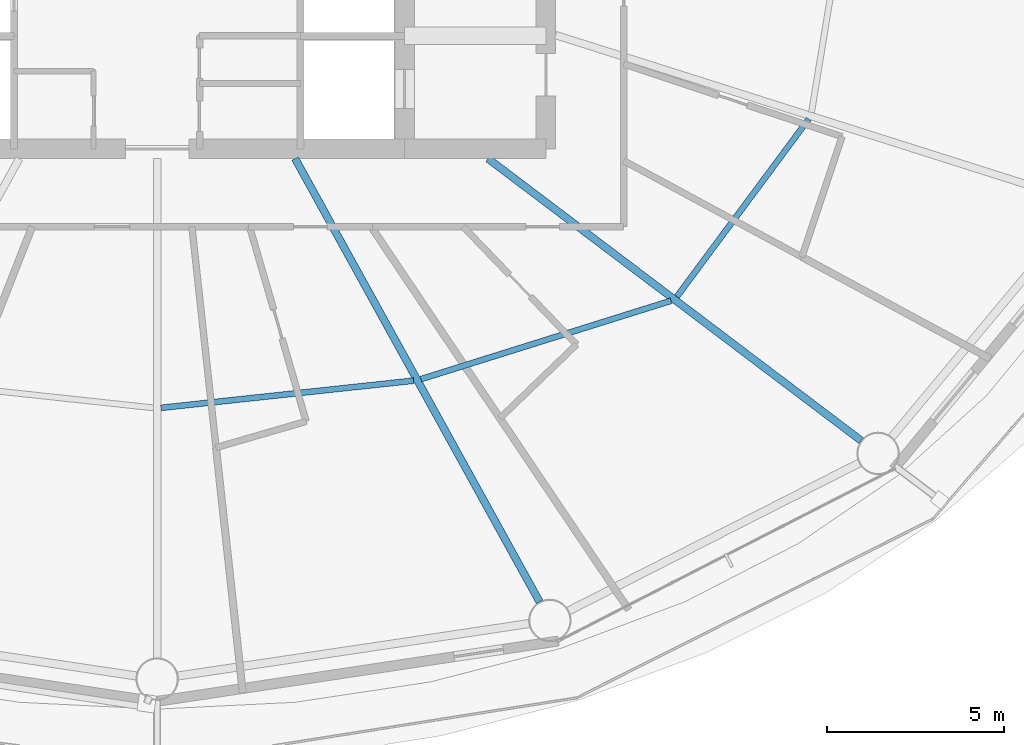
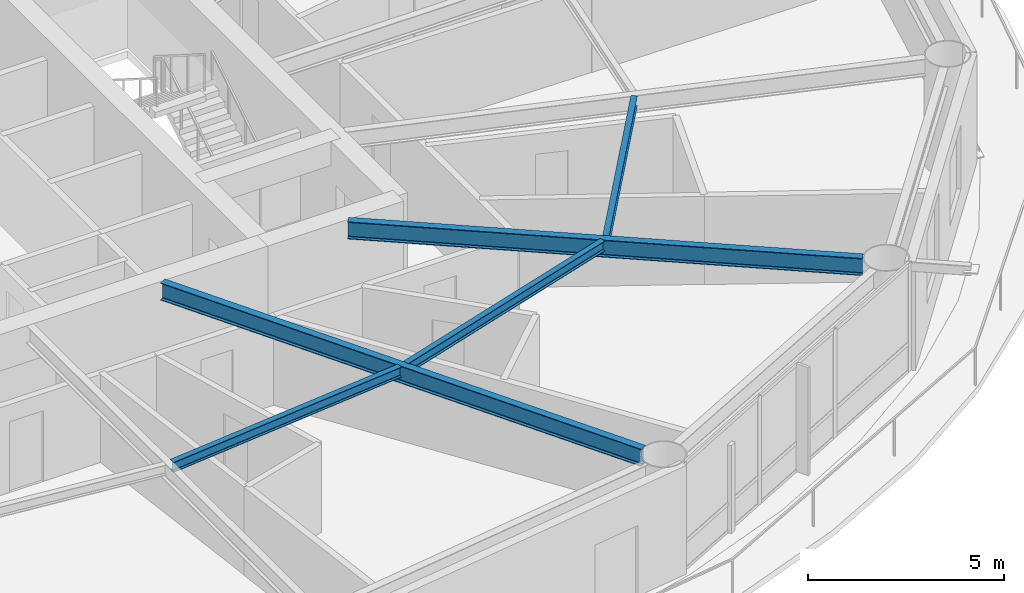
# One storey, part 5 of 24: 5 beams.
"""IFC4 building model written with IfcOpenShell, lengths in metres."""

from ifc_helpers import new_model, si_unit, direction, frame, origin, origin_2d, place, context, subcontext, project, spatial, i_section, extrude, material, material_profile, profile_set, type_object, element, save


model = new_model("IFC4")

# Units and contexts
model_context = context("Model", 3, precision=1e-05, world=origin(), true_north=direction((0.0, 1.0)))
body_context = subcontext(model_context, "Body", "Model", "MODEL_VIEW")
ifc_project = project(units=[si_unit("LENGTHUNIT", "METRE"), si_unit("AREAUNIT", "SQUARE_METRE"), si_unit("VOLUMEUNIT", "CUBIC_METRE"), si_unit("PLANEANGLEUNIT", "RADIAN"), si_unit("MASSUNIT", "GRAM", prefix="KILO")], contexts=[model_context])

# Site, building, storey
site_placement = place(None, origin())
site = spatial("IfcSite", under=ifc_project, at=site_placement, CompositionType="ELEMENT")
building_placement = place(site_placement, origin())
building = spatial("IfcBuilding", under=site, at=building_placement, Name="Sarneth Arch Tower", CompositionType="ELEMENT")
storey_placement = place(building_placement, frame((0.0, 0.0, 105.60009765625)))
storey = spatial("IfcBuildingStorey", under=building, at=storey_placement, Name="L26", CompositionType="ELEMENT", Elevation=105.60009765625)

# Beams
ifc_material_1 = material(Name="Steel S355", Category="steel")
ifc_material_profile_1 = material_profile(ifc_material_1, i_section(OverallWidth=0.1669921875, OverallDepth=0.31689453125, WebThickness=0.007568359375, FlangeThickness=0.01318359375, FilletRadius=0.012939453125, at=origin_2d()), Name="W310x52")
ifc_profile_set_1 = profile_set([ifc_material_profile_1], Name="Steel S355")
beam_type_1 = type_object("IfcBeamType", Name="BM-JOIST-310B", PredefinedType="JOIST", material=ifc_profile_set_1)
beam_1_placement = place(storey_placement, frame((48.10498046875, 27.873779296875, 3.221435546875), z_axis=(0.994257420028, 0.107014871487, 0.0), x_axis=(-0.107014871487, 0.994257420028, 0.0)))
element("IfcBeam", 1, at=beam_1_placement, inside=storey, type_object=beam_type_1, Name="L26 Secondary floor joist 13", PredefinedType="JOIST", context=body_context, shape_type="SweptSolid", body=[
    extrude(i_section(OverallWidth=0.1669921875, OverallDepth=0.31689453125, WebThickness=0.007568359375, FlangeThickness=0.01318359375, FilletRadius=0.012939453125, at=origin_2d()), origin(), (0.0, 0.0, 1.0), 7.193115234375),
])
beam_2_placement = place(storey_placement, frame((55.46240234375, 28.6865234375, 3.221435546875), z_axis=(0.954245982384, 0.299022750146, 0.0), x_axis=(-0.299022750146, 0.954245982384, 0.0)))
element("IfcBeam", 2, at=beam_2_placement, inside=storey, type_object=beam_type_1, Name="L26 Secondary floor joist 14", PredefinedType="JOIST", context=body_context, shape_type="SweptSolid", body=[
    extrude(i_section(OverallWidth=0.1669921875, OverallDepth=0.31689453125, WebThickness=0.007568359375, FlangeThickness=0.01318359375, FilletRadius=0.012939453125, at=origin_2d()), origin(), (0.0, 0.0, 1.0), 7.416748046875),
])
beam_3_placement = place(storey_placement, frame((62.703369140625, 31.0205078125, 3.221435546875), z_axis=(0.596098474255, 0.802911333206, 0.0), x_axis=(-0.802911333206, 0.596098474255, 0.0)))
element("IfcBeam", 3, at=beam_3_placement, inside=storey, type_object=beam_type_1, Name="L26 Secondary floor joist 15", PredefinedType="JOIST", context=body_context, shape_type="SweptSolid", body=[
    extrude(i_section(OverallWidth=0.1669921875, OverallDepth=0.31689453125, WebThickness=0.007568359375, FlangeThickness=0.01318359375, FilletRadius=0.012939453125, at=origin_2d()), origin(), (0.0, 0.0, 1.0), 6.259033203125),
])
ifc_material_2 = material(Name="Steel S355", Category="steel")
ifc_material_profile_2 = material_profile(ifc_material_2, i_section(OverallWidth=0.2109375, OverallDepth=0.5390625, WebThickness=0.01171875, FlangeThickness=0.018798828125, FilletRadius=0.01806640625, at=origin_2d()), Name="W530x109")
ifc_profile_set_2 = profile_set([ifc_material_profile_2], Name="Steel S355")
beam_type_2 = type_object("IfcBeamType", Name="BM-RAD-530B", PredefinedType="BEAM", material=ifc_profile_set_2)
beam_4_placement = place(storey_placement, frame((51.90283203125, 34.925048828125, 3.1103515625), z_axis=(0.483021011336, -0.875608761153, 0.0), x_axis=(0.875608761153, 0.483021011336, 0.0)))
element("IfcBeam", 4, at=beam_4_placement, inside=storey, type_object=beam_type_2, Name="L26 Radial floor girder 14", PredefinedType="BEAM", context=body_context, shape_type="SweptSolid", body=[
    extrude(i_section(OverallWidth=0.2109375, OverallDepth=0.5390625, WebThickness=0.01171875, FlangeThickness=0.018798828125, FilletRadius=0.01806640625, at=origin_2d()), origin(), (0.0, 0.0, 1.0), 14.32177734375),
])
beam_5_placement = place(storey_placement, frame((57.36181640625, 34.925048828125, 3.1103515625), z_axis=(0.797802835234, -0.602918432371, 0.0), x_axis=(0.602918432371, 0.797802835234, 0.0)))
element("IfcBeam", 5, at=beam_5_placement, inside=storey, type_object=beam_type_2, Name="L26 Radial floor girder 15", PredefinedType="BEAM", context=body_context, shape_type="SweptSolid", body=[
    extrude(i_section(OverallWidth=0.2109375, OverallDepth=0.5390625, WebThickness=0.01171875, FlangeThickness=0.018798828125, FilletRadius=0.01806640625, at=origin_2d()), origin(), (0.0, 0.0, 1.0), 13.232666015625),
])

save(model, "model.ifc")
